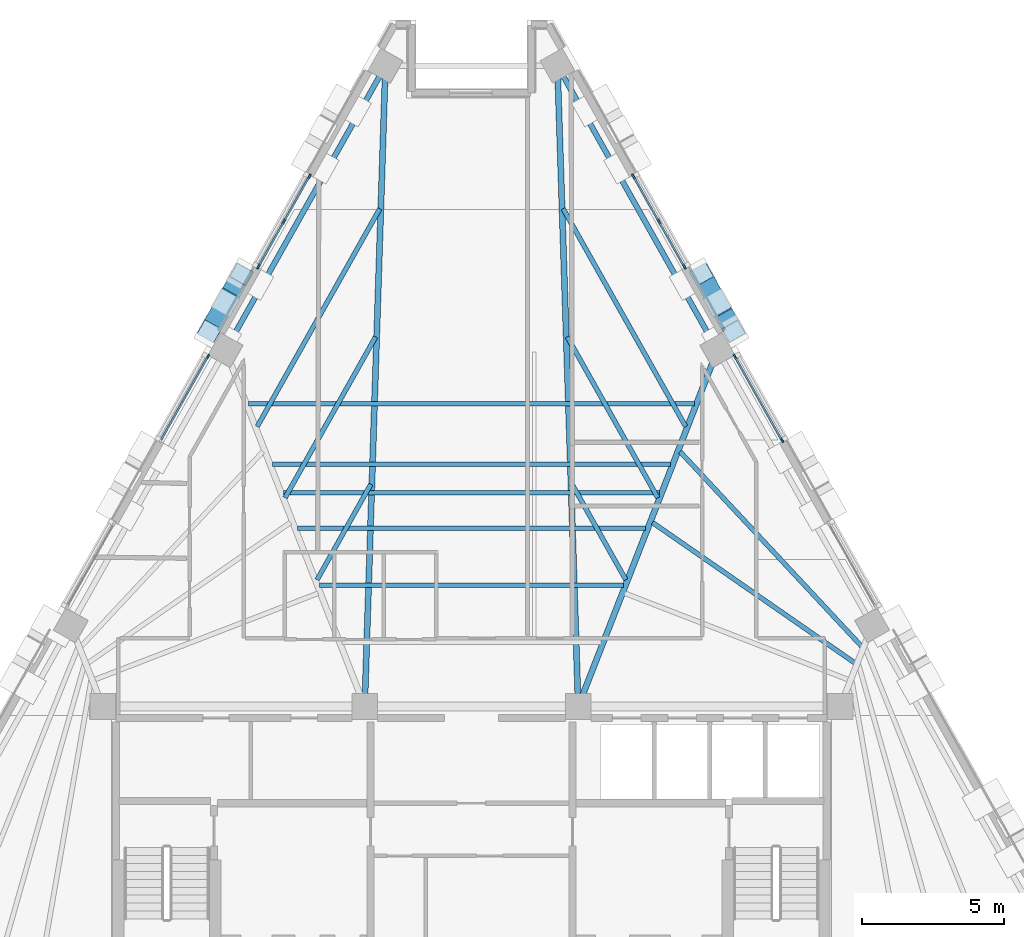
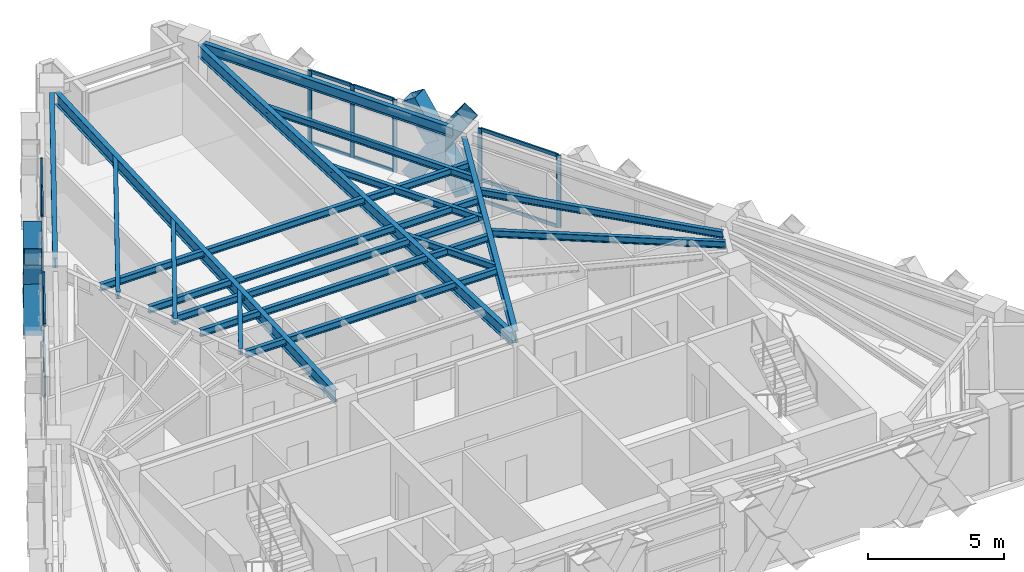
# One storey, part 4 of 12: 33 members, 18 beams, 4 elements without a shape of their own.
"""IFC4 building model written with IfcOpenShell, lengths in metres."""

from ifc_helpers import new_model, si_unit, direction, frame, origin, origin_2d, place, context, subcontext, project, spatial, rectangle, hollow_rectangle, i_section, extrude, material, material_profile, profile_set, type_object, element, aggregate, save


model = new_model("IFC4")

# Units and contexts
model_context = context("Model", 3, precision=1e-05, world=origin(), true_north=direction((0.0, 1.0)))
body_context = subcontext(model_context, "Body", "Model", "MODEL_VIEW")
ifc_project = project(units=[si_unit("LENGTHUNIT", "METRE"), si_unit("AREAUNIT", "SQUARE_METRE"), si_unit("VOLUMEUNIT", "CUBIC_METRE"), si_unit("PLANEANGLEUNIT", "RADIAN"), si_unit("MASSUNIT", "GRAM", prefix="KILO")], contexts=[model_context])

# Site, building, storey
site_placement = place(None, origin())
site = spatial("IfcSite", under=ifc_project, at=site_placement, CompositionType="ELEMENT")
building_placement = place(site_placement, origin())
building = spatial("IfcBuilding", under=site, at=building_placement, Name="Quenlor Broadcast Tower", CompositionType="ELEMENT")
storey_placement = place(building_placement, frame((0.0, 0.0, 193.89990234375)))
storey = spatial("IfcBuildingStorey", under=building, at=storey_placement, Name="L53", CompositionType="ELEMENT", Elevation=193.89990234375)

# Curtain wall, members
ifc_material_1 = material(Name="Architectural Terracotta and Low-E Glazing", Category="masonry")
curtain_wall_type = type_object("IfcCurtainWallType", Name="Unitised Terracotta Curtain Wall System Z4", PredefinedType="NOTDEFINED", material=ifc_material_1)
curtain_wall_1_placement = place(storey_placement, origin())
curtain_wall_1 = element("IfcCurtainWall", 1, at=curtain_wall_1_placement, inside=storey, type_object=curtain_wall_type, Name="L53 Curtain Wall CW4 (L53-NEA-G1)", PredefinedType="NOTDEFINED")
ifc_material_2 = material(Name="Aluminium 6063-T6", Category="aluminium")
ifc_material_profile_1 = material_profile(ifc_material_2, rectangle(XDim=0.068115234375, YDim=0.179931640625, at=origin_2d()))
ifc_profile_set_1 = profile_set([ifc_material_profile_1], Name="Aluminium 6063-T6 MULL68x180")
member_type_1 = type_object("IfcMemberType", Name="CW4 Aluminium Mullion MULL_CW4", PredefinedType="MULLION", material=ifc_profile_set_1)
member_1_placement = place(storey_placement, frame((5.693115234375, 13.820068359375, 0.0), z_axis=(0.0, 0.0, 1.0), x_axis=(0.871576257465, 0.490259959025, 0.0)))
member_1 = element("IfcMember", 2, at=member_1_placement, type_object=member_type_1, Name="CW4 mullion 1", PredefinedType="MULLION", context=body_context, shape_type="SweptSolid", body=[
    extrude(rectangle(XDim=0.068115234375, YDim=0.179931640625, at=origin_2d()), origin(), (0.0, 0.0, 1.0), 3.25),
])
member_2_placement = place(storey_placement, frame((6.585205078125, 12.23388671875, 0.0), z_axis=(0.0, 0.0, 1.0), x_axis=(0.871576257465, 0.490259959025, 0.0)))
member_2 = element("IfcMember", 3, at=member_2_placement, type_object=member_type_1, Name="CW4 mullion 2", PredefinedType="MULLION", context=body_context, shape_type="SweptSolid", body=[
    extrude(rectangle(XDim=0.068115234375, YDim=0.179931640625, at=origin_2d()), origin(), (0.0, 0.0, 1.0), 3.25),
])
member_3_placement = place(storey_placement, frame((7.477294921875, 10.64794921875, 0.0), z_axis=(0.0, 0.0, 1.0), x_axis=(0.871576257465, 0.490259959025, 0.0)))
member_3 = element("IfcMember", 4, at=member_3_placement, type_object=member_type_1, Name="CW4 mullion 3", PredefinedType="MULLION", context=body_context, shape_type="SweptSolid", body=[
    extrude(rectangle(XDim=0.068115234375, YDim=0.179931640625, at=origin_2d()), origin(), (0.0, 0.0, 1.0), 3.25),
])

curtain_wall_2_placement = place(storey_placement, origin())
curtain_wall_2 = element("IfcCurtainWall", 5, at=curtain_wall_2_placement, inside=storey, type_object=curtain_wall_type, Name="L53 Curtain Wall CW4 (L53-NE-G1)", PredefinedType="NOTDEFINED")
member_4_placement = place(storey_placement, frame((9.257080078125, 7.484130859375, 0.0), z_axis=(0.0, 0.0, 1.0), x_axis=(0.871577871382, 0.490257089819, 0.0)))
member_4 = element("IfcMember", 6, at=member_4_placement, type_object=member_type_1, Name="CW4 mullion 1", PredefinedType="MULLION", context=body_context, shape_type="SweptSolid", body=[
    extrude(rectangle(XDim=0.068115234375, YDim=0.179931640625, at=origin_2d()), origin(), (0.0, 0.0, 1.0), 3.25),
])
member_5_placement = place(storey_placement, frame((10.906494140625, 4.5517578125, 0.0), z_axis=(0.0, 0.0, 1.0), x_axis=(0.871577871382, 0.490257089819, 0.0)))
member_5 = element("IfcMember", 7, at=member_5_placement, type_object=member_type_1, Name="CW4 mullion 2", PredefinedType="MULLION", context=body_context, shape_type="SweptSolid", body=[
    extrude(rectangle(XDim=0.068115234375, YDim=0.179931640625, at=origin_2d()), origin(), (0.0, 0.0, 1.0), 3.25),
])

curtain_wall_3_placement = place(storey_placement, origin())
curtain_wall_3 = element("IfcCurtainWall", 8, at=curtain_wall_3_placement, inside=storey, type_object=curtain_wall_type, Name="L53 Curtain Wall CW4 (L53-NWC-G1)", PredefinedType="NOTDEFINED")
member_6_placement = place(storey_placement, frame((-7.477294921875, 10.64794921875, 0.0), z_axis=(0.0, 0.0, 1.0), x_axis=(-0.871576257465, 0.490259959025, 0.0)))
member_6 = element("IfcMember", 9, at=member_6_placement, type_object=member_type_1, Name="CW4 mullion 1", PredefinedType="MULLION", context=body_context, shape_type="SweptSolid", body=[
    extrude(rectangle(XDim=0.068115234375, YDim=0.179931640625, at=origin_2d()), origin(), (0.0, 0.0, 1.0), 3.25),
])
member_7_placement = place(storey_placement, frame((-6.585205078125, 12.23388671875, 0.0), z_axis=(0.0, 0.0, 1.0), x_axis=(-0.871576257465, 0.490259959025, 0.0)))
member_7 = element("IfcMember", 10, at=member_7_placement, type_object=member_type_1, Name="CW4 mullion 2", PredefinedType="MULLION", context=body_context, shape_type="SweptSolid", body=[
    extrude(rectangle(XDim=0.068115234375, YDim=0.179931640625, at=origin_2d()), origin(), (0.0, 0.0, 1.0), 3.25),
])
member_8_placement = place(storey_placement, frame((-5.693115234375, 13.820068359375, 0.0), z_axis=(0.0, 0.0, 1.0), x_axis=(-0.871576257465, 0.490259959025, 0.0)))
member_8 = element("IfcMember", 11, at=member_8_placement, type_object=member_type_1, Name="CW4 mullion 3", PredefinedType="MULLION", context=body_context, shape_type="SweptSolid", body=[
    extrude(rectangle(XDim=0.068115234375, YDim=0.179931640625, at=origin_2d()), origin(), (0.0, 0.0, 1.0), 3.25),
])

# Curtain wall, member
curtain_wall_4_placement = place(storey_placement, origin())
curtain_wall_4 = element("IfcCurtainWall", 12, at=curtain_wall_4_placement, inside=storey, type_object=curtain_wall_type, Name="L53 Curtain Wall CW4 (L53-NW-G2)", PredefinedType="NOTDEFINED")
member_9_placement = place(storey_placement, frame((-9.257080078125, 7.484130859375, 0.0), z_axis=(0.0, 0.0, 1.0), x_axis=(-0.871577871382, 0.490257089819, 0.0)))
member_9 = element("IfcMember", 13, at=member_9_placement, type_object=member_type_1, Name="CW4 mullion 2", PredefinedType="MULLION", context=body_context, shape_type="SweptSolid", body=[
    extrude(rectangle(XDim=0.068115234375, YDim=0.179931640625, at=origin_2d()), origin(), (0.0, 0.0, 1.0), 3.25),
])

# Member
ifc_material_3 = material(Name="Aluminium 6063-T6", Category="aluminium")
ifc_material_profile_2 = material_profile(ifc_material_3, rectangle(XDim=0.068115234375, YDim=0.14990234375, at=origin_2d()))
ifc_profile_set_2 = profile_set([ifc_material_profile_2], Name="Aluminium 6063-T6 TRAN68x150")
member_type_2 = type_object("IfcMemberType", Name="CW4 Aluminium Transom TRAN_CW4", PredefinedType="USERDEFINED", material=ifc_profile_set_2)
member_10_placement = place(storey_placement, frame((5.709716796875, 13.790283203125, 0.0341796875), z_axis=(0.490334029137, -0.871534589027, 0.0), x_axis=(0.871534589027, 0.490334029137, 0.0)))
member_10 = element("IfcMember", 14, at=member_10_placement, type_object=member_type_2, Name="CW4 transom 1.1", ObjectType="TRANSOM", PredefinedType="USERDEFINED", context=body_context, shape_type="SweptSolid", body=[
    extrude(rectangle(XDim=0.068115234375, YDim=0.14990234375, at=origin_2d()), origin(), (0.0, 0.0, 1.0), 1.751708984375),
])

member_11_placement = place(storey_placement, frame((5.709716796875, 13.790283203125, 0.9501953125), z_axis=(0.490334029137, -0.871534589027, 0.0), x_axis=(0.871534589027, 0.490334029137, 0.0)))
member_11 = element("IfcMember", 15, at=member_11_placement, type_object=member_type_2, Name="CW4 transom 1.2", ObjectType="TRANSOM", PredefinedType="USERDEFINED", context=body_context, shape_type="SweptSolid", body=[
    extrude(rectangle(XDim=0.068115234375, YDim=0.14990234375, at=origin_2d()), origin(), (0.0, 0.0, 1.0), 1.751708984375),
])

member_12_placement = place(storey_placement, frame((5.709716796875, 13.790283203125, 3.216064453125), z_axis=(0.490334029137, -0.871534589027, 0.0), x_axis=(0.871534589027, 0.490334029137, 0.0)))
member_12 = element("IfcMember", 16, at=member_12_placement, type_object=member_type_2, Name="CW4 transom 1.3", ObjectType="TRANSOM", PredefinedType="USERDEFINED", context=body_context, shape_type="SweptSolid", body=[
    extrude(rectangle(XDim=0.068115234375, YDim=0.14990234375, at=origin_2d()), origin(), (0.0, 0.0, 1.0), 1.751708984375),
])

member_13_placement = place(storey_placement, frame((6.601806640625, 12.204345703125, 0.0341796875), z_axis=(0.490274472735, -0.871568093372, 0.0), x_axis=(0.871568093372, 0.490274472735, 0.0)))
member_13 = element("IfcMember", 17, at=member_13_placement, type_object=member_type_2, Name="CW4 transom 2.1", ObjectType="TRANSOM", PredefinedType="USERDEFINED", context=body_context, shape_type="SweptSolid", body=[
    extrude(rectangle(XDim=0.068115234375, YDim=0.14990234375, at=origin_2d()), origin(), (0.0, 0.0, 1.0), 1.751953125),
])

member_14_placement = place(storey_placement, frame((6.601806640625, 12.204345703125, 0.9501953125), z_axis=(0.490274472735, -0.871568093372, 0.0), x_axis=(0.871568093372, 0.490274472735, 0.0)))
member_14 = element("IfcMember", 18, at=member_14_placement, type_object=member_type_2, Name="CW4 transom 2.2", ObjectType="TRANSOM", PredefinedType="USERDEFINED", context=body_context, shape_type="SweptSolid", body=[
    extrude(rectangle(XDim=0.068115234375, YDim=0.14990234375, at=origin_2d()), origin(), (0.0, 0.0, 1.0), 1.751953125),
])

member_15_placement = place(storey_placement, frame((6.601806640625, 12.204345703125, 3.216064453125), z_axis=(0.490274472735, -0.871568093372, 0.0), x_axis=(0.871568093372, 0.490274472735, 0.0)))
member_15 = element("IfcMember", 19, at=member_15_placement, type_object=member_type_2, Name="CW4 transom 2.3", ObjectType="TRANSOM", PredefinedType="USERDEFINED", context=body_context, shape_type="SweptSolid", body=[
    extrude(rectangle(XDim=0.068115234375, YDim=0.14990234375, at=origin_2d()), origin(), (0.0, 0.0, 1.0), 1.751953125),
])

aggregate(curtain_wall_1, [member_1, member_2, member_3, member_10, member_11, member_12, member_13, member_14, member_15])

member_16_placement = place(storey_placement, frame((9.273681640625, 7.454345703125, 0.0341796875), z_axis=(0.490264756272, -0.871573559005, 0.0), x_axis=(0.871573559005, 0.490264756272, 0.0)))
member_16 = element("IfcMember", 20, at=member_16_placement, type_object=member_type_2, Name="CW4 transom 1.1", ObjectType="TRANSOM", PredefinedType="USERDEFINED", context=body_context, shape_type="SweptSolid", body=[
    extrude(rectangle(XDim=0.068115234375, YDim=0.14990234375, at=origin_2d()), origin(), (0.0, 0.0, 1.0), 3.296142578125),
])

member_17_placement = place(storey_placement, frame((9.273681640625, 7.454345703125, 0.9501953125), z_axis=(0.490264756272, -0.871573559005, 0.0), x_axis=(0.871573559005, 0.490264756272, 0.0)))
member_17 = element("IfcMember", 21, at=member_17_placement, type_object=member_type_2, Name="CW4 transom 1.2", ObjectType="TRANSOM", PredefinedType="USERDEFINED", context=body_context, shape_type="SweptSolid", body=[
    extrude(rectangle(XDim=0.068115234375, YDim=0.14990234375, at=origin_2d()), origin(), (0.0, 0.0, 1.0), 3.296142578125),
])

member_18_placement = place(storey_placement, frame((9.273681640625, 7.454345703125, 3.216064453125), z_axis=(0.490264756272, -0.871573559005, 0.0), x_axis=(0.871573559005, 0.490264756272, 0.0)))
member_18 = element("IfcMember", 22, at=member_18_placement, type_object=member_type_2, Name="CW4 transom 1.3", ObjectType="TRANSOM", PredefinedType="USERDEFINED", context=body_context, shape_type="SweptSolid", body=[
    extrude(rectangle(XDim=0.068115234375, YDim=0.14990234375, at=origin_2d()), origin(), (0.0, 0.0, 1.0), 3.296142578125),
])

aggregate(curtain_wall_2, [member_4, member_5, member_16, member_17, member_18])

member_19_placement = place(storey_placement, frame((-7.460693359375, 10.677490234375, 0.0341796875), z_axis=(0.490274472735, 0.871568093372, 0.0), x_axis=(-0.871568093372, 0.490274472735, 0.0)))
member_19 = element("IfcMember", 23, at=member_19_placement, type_object=member_type_2, Name="CW4 transom 1.1", ObjectType="TRANSOM", PredefinedType="USERDEFINED", context=body_context, shape_type="SweptSolid", body=[
    extrude(rectangle(XDim=0.068115234375, YDim=0.14990234375, at=origin_2d()), origin(), (0.0, 0.0, 1.0), 1.751953125),
])

member_20_placement = place(storey_placement, frame((-7.460693359375, 10.677490234375, 0.9501953125), z_axis=(0.490274472735, 0.871568093372, 0.0), x_axis=(-0.871568093372, 0.490274472735, 0.0)))
member_20 = element("IfcMember", 24, at=member_20_placement, type_object=member_type_2, Name="CW4 transom 1.2", ObjectType="TRANSOM", PredefinedType="USERDEFINED", context=body_context, shape_type="SweptSolid", body=[
    extrude(rectangle(XDim=0.068115234375, YDim=0.14990234375, at=origin_2d()), origin(), (0.0, 0.0, 1.0), 1.751953125),
])

member_21_placement = place(storey_placement, frame((-7.460693359375, 10.677490234375, 3.216064453125), z_axis=(0.490274472735, 0.871568093372, 0.0), x_axis=(-0.871568093372, 0.490274472735, 0.0)))
member_21 = element("IfcMember", 25, at=member_21_placement, type_object=member_type_2, Name="CW4 transom 1.3", ObjectType="TRANSOM", PredefinedType="USERDEFINED", context=body_context, shape_type="SweptSolid", body=[
    extrude(rectangle(XDim=0.068115234375, YDim=0.14990234375, at=origin_2d()), origin(), (0.0, 0.0, 1.0), 1.751953125),
])

member_22_placement = place(storey_placement, frame((-6.568603515625, 12.263671875, 0.0341796875), z_axis=(0.490334029137, 0.871534589027, 0.0), x_axis=(-0.871534589027, 0.490334029137, 0.0)))
member_22 = element("IfcMember", 26, at=member_22_placement, type_object=member_type_2, Name="CW4 transom 2.1", ObjectType="TRANSOM", PredefinedType="USERDEFINED", context=body_context, shape_type="SweptSolid", body=[
    extrude(rectangle(XDim=0.068115234375, YDim=0.14990234375, at=origin_2d()), origin(), (0.0, 0.0, 1.0), 1.751708984375),
])

member_23_placement = place(storey_placement, frame((-6.568603515625, 12.263671875, 0.9501953125), z_axis=(0.490334029137, 0.871534589027, 0.0), x_axis=(-0.871534589027, 0.490334029137, 0.0)))
member_23 = element("IfcMember", 27, at=member_23_placement, type_object=member_type_2, Name="CW4 transom 2.2", ObjectType="TRANSOM", PredefinedType="USERDEFINED", context=body_context, shape_type="SweptSolid", body=[
    extrude(rectangle(XDim=0.068115234375, YDim=0.14990234375, at=origin_2d()), origin(), (0.0, 0.0, 1.0), 1.751708984375),
])

member_24_placement = place(storey_placement, frame((-6.568603515625, 12.263671875, 3.216064453125), z_axis=(0.490334029137, 0.871534589027, 0.0), x_axis=(-0.871534589027, 0.490334029137, 0.0)))
member_24 = element("IfcMember", 28, at=member_24_placement, type_object=member_type_2, Name="CW4 transom 2.3", ObjectType="TRANSOM", PredefinedType="USERDEFINED", context=body_context, shape_type="SweptSolid", body=[
    extrude(rectangle(XDim=0.068115234375, YDim=0.14990234375, at=origin_2d()), origin(), (0.0, 0.0, 1.0), 1.751708984375),
])

aggregate(curtain_wall_3, [member_6, member_7, member_8, member_19, member_20, member_21, member_22, member_23, member_24])

member_25_placement = place(storey_placement, frame((-10.8896484375, 4.58154296875, 0.0341796875), z_axis=(0.490264756272, 0.871573559005, 0.0), x_axis=(-0.871573559005, 0.490264756272, 0.0)))
member_25 = element("IfcMember", 29, at=member_25_placement, type_object=member_type_2, Name="CW4 transom 1.1", ObjectType="TRANSOM", PredefinedType="USERDEFINED", context=body_context, shape_type="SweptSolid", body=[
    extrude(rectangle(XDim=0.068115234375, YDim=0.14990234375, at=origin_2d()), origin(), (0.0, 0.0, 1.0), 3.296142578125),
])

member_26_placement = place(storey_placement, frame((-10.8896484375, 4.58154296875, 0.9501953125), z_axis=(0.490264756272, 0.871573559005, 0.0), x_axis=(-0.871573559005, 0.490264756272, 0.0)))
member_26 = element("IfcMember", 30, at=member_26_placement, type_object=member_type_2, Name="CW4 transom 1.2", ObjectType="TRANSOM", PredefinedType="USERDEFINED", context=body_context, shape_type="SweptSolid", body=[
    extrude(rectangle(XDim=0.068115234375, YDim=0.14990234375, at=origin_2d()), origin(), (0.0, 0.0, 1.0), 3.296142578125),
])

member_27_placement = place(storey_placement, frame((-10.8896484375, 4.58154296875, 3.216064453125), z_axis=(0.490264756272, 0.871573559005, 0.0), x_axis=(-0.871573559005, 0.490264756272, 0.0)))
member_27 = element("IfcMember", 31, at=member_27_placement, type_object=member_type_2, Name="CW4 transom 1.3", ObjectType="TRANSOM", PredefinedType="USERDEFINED", context=body_context, shape_type="SweptSolid", body=[
    extrude(rectangle(XDim=0.068115234375, YDim=0.14990234375, at=origin_2d()), origin(), (0.0, 0.0, 1.0), 3.296142578125),
])

aggregate(curtain_wall_4, [member_9, member_25, member_26, member_27])

# Members
ifc_material_4 = material(Name="Steel S355", Category="steel")
ifc_material_profile_3 = material_profile(ifc_material_4, hollow_rectangle(XDim=0.679931640625, YDim=0.679931640625, WallThickness=0.02490234375, at=origin_2d()))
ifc_profile_set_3 = profile_set([ifc_material_profile_3], Name="Steel S355 RHS680x680x25")
member_type_3 = type_object("IfcMemberType", Name="Perimeter Diagonal Lattice Brace Z3-Z4 Steel S355 RHS680x25", PredefinedType="BRACE", material=ifc_profile_set_3)
member_28_placement = place(storey_placement, frame((8.079345703125, 10.38330078125, -0.119873046875), z_axis=(0.269547055694, -0.479136497832, 0.835327840559), x_axis=(0.871550060774, 0.49030652817, 0.0)))
element("IfcMember", 32, at=member_28_placement, inside=storey, type_object=member_type_3, Name="L53 Perimeter Diamond Lattice NE-C2XA", PredefinedType="BRACE", context=body_context, shape_type="SweptSolid", body=[
    extrude(hollow_rectangle(XDim=0.679931640625, YDim=0.679931640625, WallThickness=0.02490234375, at=origin_2d()), origin(), (0.0, 0.0, 1.0), 4.18994140625),
])
for number, where, z_axis, x_axis, name in (
    (33, (9.208740234375, 8.375732421875, -0.119873046875), (-0.269535527865, 0.479130165145, 0.835335192642), (-0.871556252289, -0.490295522207, 0.0), "L53 Perimeter Diamond Lattice NE-C2XB1"),
    (34, (8.57666015625, 9.499267578125, 1.8388671875), (-0.269535527865, 0.479130165145, 0.835335192642), (-0.871556252289, -0.490295522207, 0.0), "L53 Perimeter Diamond Lattice NE-C2XB2"),
):
    element("IfcMember", number, at=place(storey_placement, frame(where, z_axis=z_axis, x_axis=x_axis)), inside=storey, type_object=member_type_3, Name=name, PredefinedType="BRACE", context=body_context, shape_type="SweptSolid", body=[
        extrude(hollow_rectangle(XDim=0.679931640625, YDim=0.679931640625, WallThickness=0.02490234375, at=origin_2d()), origin(), (0.0, 0.0, 1.0), 1.844970703125),
    ])
member_29_placement = place(storey_placement, frame((-9.208740234375, 8.375732421875, -0.119873046875), z_axis=(0.269547055694, 0.479136497832, 0.835327840559), x_axis=(-0.871550060774, 0.49030652817, 0.0)))
element("IfcMember", 35, at=member_29_placement, inside=storey, type_object=member_type_3, Name="L53 Perimeter Diamond Lattice NW-C4XA", PredefinedType="BRACE", context=body_context, shape_type="SweptSolid", body=[
    extrude(hollow_rectangle(XDim=0.679931640625, YDim=0.679931640625, WallThickness=0.02490234375, at=origin_2d()), origin(), (0.0, 0.0, 1.0), 4.18994140625),
])
for number, where, z_axis, x_axis, name in (
    (36, (-8.079345703125, 10.38330078125, -0.119873046875), (-0.269535527865, -0.479130165145, 0.835335192642), (0.871556252289, -0.490295522207, 0.0), "L53 Perimeter Diamond Lattice NW-C4XB1"),
    (37, (-8.71142578125, 9.259765625, 1.8388671875), (-0.269535527865, -0.479130165145, 0.835335192642), (0.871556252289, -0.490295522207, 0.0), "L53 Perimeter Diamond Lattice NW-C4XB2"),
):
    element("IfcMember", number, at=place(storey_placement, frame(where, z_axis=z_axis, x_axis=x_axis)), inside=storey, type_object=member_type_3, Name=name, PredefinedType="BRACE", context=body_context, shape_type="SweptSolid", body=[
        extrude(hollow_rectangle(XDim=0.679931640625, YDim=0.679931640625, WallThickness=0.02490234375, at=origin_2d()), origin(), (0.0, 0.0, 1.0), 1.844970703125),
    ])

# Beams
ifc_material_5 = material(Name="Steel S355", Category="steel")
ifc_material_profile_4 = material_profile(ifc_material_5, i_section(OverallWidth=0.18994140625, OverallDepth=0.453857421875, WebThickness=0.008544921875, FlangeThickness=0.0126953125, FilletRadius=0.011474609375, at=origin_2d()))
ifc_profile_set_4 = profile_set([ifc_material_profile_4], Name="Steel S355 460UB67.1")
beam_type_1 = type_object("IfcBeamType", Name="Perimeter Spandrel Beam Z4 Steel S355 460UB67.1", PredefinedType="SPANDREL", material=ifc_profile_set_4)
for number, where, z_axis, x_axis, name in (
    (38, (8.438720703125, 8.072265625, 3.023193359375), (-0.490281935429, 0.871563895415, 0.0), (-0.871563895415, -0.490281935429, 0.0), "L53 Spandrel Beam NE3-NE4"),
    (39, (-3.221435546875, 17.346923828125, 3.023193359375), (-0.490281935429, -0.871563895415, 0.0), (0.871563895415, -0.490281935429, 0.0), "L53 Spandrel Beam NW1-NW2"),
):
    element("IfcBeam", number, at=place(storey_placement, frame(where, z_axis=z_axis, x_axis=x_axis)), inside=storey, type_object=beam_type_1, Name=name, PredefinedType="SPANDREL", context=body_context, shape_type="SweptSolid", body=[
        extrude(i_section(OverallWidth=0.18994140625, OverallDepth=0.453857421875, WebThickness=0.008544921875, FlangeThickness=0.0126953125, FilletRadius=0.011474609375, at=origin_2d()), origin(), (0.0, 0.0, 1.0), 10.641357421875),
    ])
ifc_material_6 = material(Name="Steel S355", Category="steel")
ifc_material_profile_5 = material_profile(ifc_material_6, i_section(OverallWidth=0.166015625, OverallDepth=0.30712890625, WebThickness=0.006591796875, FlangeThickness=0.01171875, FilletRadius=0.011474609375, at=origin_2d()))
ifc_profile_set_5 = profile_set([ifc_material_profile_5], Name="Steel S355 310UB46.2")
beam_type_2 = type_object("IfcBeamType", Name="Tower Composite Joist Z4-Z5 Steel S355 310UB46.2", PredefinedType="JOIST", material=ifc_profile_set_5)
beam_1_placement = place(storey_placement, frame((-6.603759765625, 2.708984375, 3.096435546875), z_axis=(1.0, 0.0, 0.0), x_axis=(0.0, 1.0, 0.0)))
element("IfcBeam", 40, at=beam_1_placement, inside=storey, type_object=beam_type_2, Name="L53 Secondary Composite Joist 2", PredefinedType="JOIST", context=body_context, shape_type="SweptSolid", body=[
    extrude(i_section(OverallWidth=0.166015625, OverallDepth=0.30712890625, WebThickness=0.006591796875, FlangeThickness=0.01171875, FilletRadius=0.011474609375, at=origin_2d()), origin(), (0.0, 0.0, 1.0), 13.20751953125),
])
beam_2_placement = place(storey_placement, frame((-5.33251953125, -0.544921875, 3.096435546875), z_axis=(1.0, 0.0, 0.0), x_axis=(0.0, 1.0, 0.0)))
element("IfcBeam", 41, at=beam_2_placement, inside=storey, type_object=beam_type_2, Name="L53 Secondary Composite Joist 3", PredefinedType="JOIST", context=body_context, shape_type="SweptSolid", body=[
    extrude(i_section(OverallWidth=0.166015625, OverallDepth=0.30712890625, WebThickness=0.006591796875, FlangeThickness=0.01171875, FilletRadius=0.011474609375, at=origin_2d()), origin(), (0.0, 0.0, 1.0), 10.6650390625),
])
beam_3_placement = place(storey_placement, frame((-6.11474609375, 1.45751953125, 3.096435546875), z_axis=(1.0, 0.0, 0.0), x_axis=(0.0, 1.0, 0.0)))
element("IfcBeam", 42, at=beam_3_placement, inside=storey, type_object=beam_type_2, Name="L53 Secondary Composite Joist 4", PredefinedType="JOIST", context=body_context, shape_type="SweptSolid", body=[
    extrude(i_section(OverallWidth=0.166015625, OverallDepth=0.30712890625, WebThickness=0.006591796875, FlangeThickness=0.01171875, FilletRadius=0.011474609375, at=origin_2d()), origin(), (0.0, 0.0, 1.0), 12.2294921875),
])
beam_4_placement = place(storey_placement, frame((-6.994873046875, 3.710205078125, 3.096435546875), z_axis=(1.0, 0.0, 0.0), x_axis=(0.0, 1.0, 0.0)))
element("IfcBeam", 43, at=beam_4_placement, inside=storey, type_object=beam_type_2, Name="L53 Secondary Composite Joist 5", PredefinedType="JOIST", context=body_context, shape_type="SweptSolid", body=[
    extrude(i_section(OverallWidth=0.166015625, OverallDepth=0.30712890625, WebThickness=0.006591796875, FlangeThickness=0.01171875, FilletRadius=0.011474609375, at=origin_2d()), origin(), (0.0, 0.0, 1.0), 13.98974609375),
])
beam_5_placement = place(storey_placement, frame((-7.826171875, 5.837646484375, 3.096435546875), z_axis=(1.0, 0.0, 0.0), x_axis=(0.0, 1.0, 0.0)))
element("IfcBeam", 44, at=beam_5_placement, inside=storey, type_object=beam_type_2, Name="L53 Secondary Composite Joist 6", PredefinedType="JOIST", context=body_context, shape_type="SweptSolid", body=[
    extrude(i_section(OverallWidth=0.166015625, OverallDepth=0.30712890625, WebThickness=0.006591796875, FlangeThickness=0.01171875, FilletRadius=0.011474609375, at=origin_2d()), origin(), (0.0, 0.0, 1.0), 15.65234375),
])
beam_6_placement = place(storey_placement, frame((13.470458984375, -3.273681640625, 3.096435546875), z_axis=(-0.821539857981, 0.570151086773, 0.0), x_axis=(-0.570151086773, -0.821539857981, 0.0)))
element("IfcBeam", 45, at=beam_6_placement, inside=storey, type_object=beam_type_2, Name="L53 Secondary Composite Joist 11", PredefinedType="JOIST", context=body_context, shape_type="SweptSolid", body=[
    extrude(i_section(OverallWidth=0.166015625, OverallDepth=0.30712890625, WebThickness=0.006591796875, FlangeThickness=0.01171875, FilletRadius=0.011474609375, at=origin_2d()), origin(), (0.0, 0.0, 1.0), 8.656982421875),
])
beam_7_placement = place(storey_placement, frame((13.707275390625, -2.691162109375, 3.096435546875), z_axis=(-0.682034672805, 0.731319837754, 0.0), x_axis=(-0.731319837754, -0.682034672805, 0.0)))
element("IfcBeam", 46, at=beam_7_placement, inside=storey, type_object=beam_type_2, Name="L53 Secondary Composite Joist 12", PredefinedType="JOIST", context=body_context, shape_type="SweptSolid", body=[
    extrude(i_section(OverallWidth=0.166015625, OverallDepth=0.30712890625, WebThickness=0.006591796875, FlangeThickness=0.01171875, FilletRadius=0.011474609375, at=origin_2d()), origin(), (0.0, 0.0, 1.0), 9.357421875),
])
beam_8_placement = place(storey_placement, frame((-3.533935546875, 3.0068359375, 3.096435546875), z_axis=(-0.490243182397, -0.871585694073, 0.0), x_axis=(0.871585694073, -0.490243182397, 0.0)))
element("IfcBeam", 47, at=beam_8_placement, inside=storey, type_object=beam_type_2, Name="L53 Secondary Composite Joist 25", PredefinedType="JOIST", context=body_context, shape_type="SweptSolid", body=[
    extrude(i_section(OverallWidth=0.166015625, OverallDepth=0.30712890625, WebThickness=0.006591796875, FlangeThickness=0.01171875, FilletRadius=0.011474609375, at=origin_2d()), origin(), (0.0, 0.0, 1.0), 3.8515625),
])
beam_9_placement = place(storey_placement, frame((-3.3662109375, 8.182861328125, 3.096435546875), z_axis=(-0.490230865807, -0.871592621705, 0.0), x_axis=(0.871592621705, -0.490230865807, 0.0)))
element("IfcBeam", 48, at=beam_9_placement, inside=storey, type_object=beam_type_2, Name="L53 Secondary Composite Joist 26", PredefinedType="JOIST", context=body_context, shape_type="SweptSolid", body=[
    extrude(i_section(OverallWidth=0.166015625, OverallDepth=0.30712890625, WebThickness=0.006591796875, FlangeThickness=0.01171875, FilletRadius=0.011474609375, at=origin_2d()), origin(), (0.0, 0.0, 1.0), 6.487548828125),
])
beam_10_placement = place(storey_placement, frame((-3.22021484375, 12.68359375, 3.096435546875), z_axis=(-0.490261239633, -0.871575537125, 0.0), x_axis=(0.871575537125, -0.490261239633, 0.0)))
element("IfcBeam", 49, at=beam_10_placement, inside=storey, type_object=beam_type_2, Name="L53 Secondary Composite Joist 27", PredefinedType="JOIST", context=body_context, shape_type="SweptSolid", body=[
    extrude(i_section(OverallWidth=0.166015625, OverallDepth=0.30712890625, WebThickness=0.006591796875, FlangeThickness=0.01171875, FilletRadius=0.011474609375, at=origin_2d()), origin(), (0.0, 0.0, 1.0), 8.77978515625),
])
beam_11_placement = place(storey_placement, frame((3.533935546875, 3.0068359375, 3.096435546875), z_axis=(0.490243182397, -0.871585694073, 0.0), x_axis=(0.871585694073, 0.490243182397, 0.0)))
element("IfcBeam", 50, at=beam_11_placement, inside=storey, type_object=beam_type_2, Name="L53 Secondary Composite Joist 28", PredefinedType="JOIST", context=body_context, shape_type="SweptSolid", body=[
    extrude(i_section(OverallWidth=0.166015625, OverallDepth=0.30712890625, WebThickness=0.006591796875, FlangeThickness=0.01171875, FilletRadius=0.011474609375, at=origin_2d()), origin(), (0.0, 0.0, 1.0), 3.8515625),
])
beam_12_placement = place(storey_placement, frame((3.3662109375, 8.182861328125, 3.096435546875), z_axis=(0.490230865807, -0.871592621705, 0.0), x_axis=(0.871592621705, 0.490230865807, 0.0)))
element("IfcBeam", 51, at=beam_12_placement, inside=storey, type_object=beam_type_2, Name="L53 Secondary Composite Joist 29", PredefinedType="JOIST", context=body_context, shape_type="SweptSolid", body=[
    extrude(i_section(OverallWidth=0.166015625, OverallDepth=0.30712890625, WebThickness=0.006591796875, FlangeThickness=0.01171875, FilletRadius=0.011474609375, at=origin_2d()), origin(), (0.0, 0.0, 1.0), 6.487548828125),
])
beam_13_placement = place(storey_placement, frame((3.22021484375, 12.68359375, 3.096435546875), z_axis=(0.490261239633, -0.871575537125, 0.0), x_axis=(0.871575537125, 0.490261239633, 0.0)))
element("IfcBeam", 52, at=beam_13_placement, inside=storey, type_object=beam_type_2, Name="L53 Secondary Composite Joist 30", PredefinedType="JOIST", context=body_context, shape_type="SweptSolid", body=[
    extrude(i_section(OverallWidth=0.166015625, OverallDepth=0.30712890625, WebThickness=0.006591796875, FlangeThickness=0.01171875, FilletRadius=0.011474609375, at=origin_2d()), origin(), (0.0, 0.0, 1.0), 8.77978515625),
])
ifc_material_7 = material(Name="Steel S355", Category="steel")
ifc_material_profile_6 = material_profile(ifc_material_7, i_section(OverallWidth=0.208984375, OverallDepth=0.5283203125, WebThickness=0.009521484375, FlangeThickness=0.01318359375, FilletRadius=0.013916015625, at=origin_2d()))
ifc_profile_set_6 = profile_set([ifc_material_profile_6], Name="Steel S355 530UB82.0")
beam_type_3 = type_object("IfcBeamType", Name="Tower Primary Floor Beam Z4 Steel S355 530UB82.0", PredefinedType="BEAM", material=ifc_profile_set_6)
beam_14_placement = place(storey_placement, frame((8.490478515625, 7.3330078125, 2.986083984375), z_axis=(-0.363926160921, -0.931427801495, 0.0), x_axis=(0.931427801495, -0.363926160921, 0.0)))
element("IfcBeam", 53, at=beam_14_placement, inside=storey, type_object=beam_type_3, Name="L53 Primary Radial Beam NE3", PredefinedType="BEAM", context=body_context, shape_type="SweptSolid", body=[
    extrude(i_section(OverallWidth=0.208984375, OverallDepth=0.5283203125, WebThickness=0.009521484375, FlangeThickness=0.01318359375, FilletRadius=0.013916015625, at=origin_2d()), origin(), (0.0, 0.0, 1.0), 12.646240234375),
])
for number, where, z_axis, x_axis, name in (
    (54, (3.03369140625, 17.29443359375, 2.986083984375), (0.032408228632, -0.999474715397, 0.0), (0.999474715397, 0.032408228632, 0.0), "L53 Primary Radial Beam NE4"),
    (55, (-3.03369140625, 17.29443359375, 2.986083984375), (-0.032408228632, -0.999474715397, 0.0), (0.999474715397, -0.032408228632, 0.0), "L53 Primary Radial Beam NW1"),
):
    element("IfcBeam", number, at=place(storey_placement, frame(where, z_axis=z_axis, x_axis=x_axis)), inside=storey, type_object=beam_type_3, Name=name, PredefinedType="BEAM", context=body_context, shape_type="SweptSolid", body=[
        extrude(i_section(OverallWidth=0.208984375, OverallDepth=0.5283203125, WebThickness=0.009521484375, FlangeThickness=0.01318359375, FilletRadius=0.013916015625, at=origin_2d()), origin(), (0.0, 0.0, 1.0), 21.72607421875),
    ])

save(model, "model.ifc")
